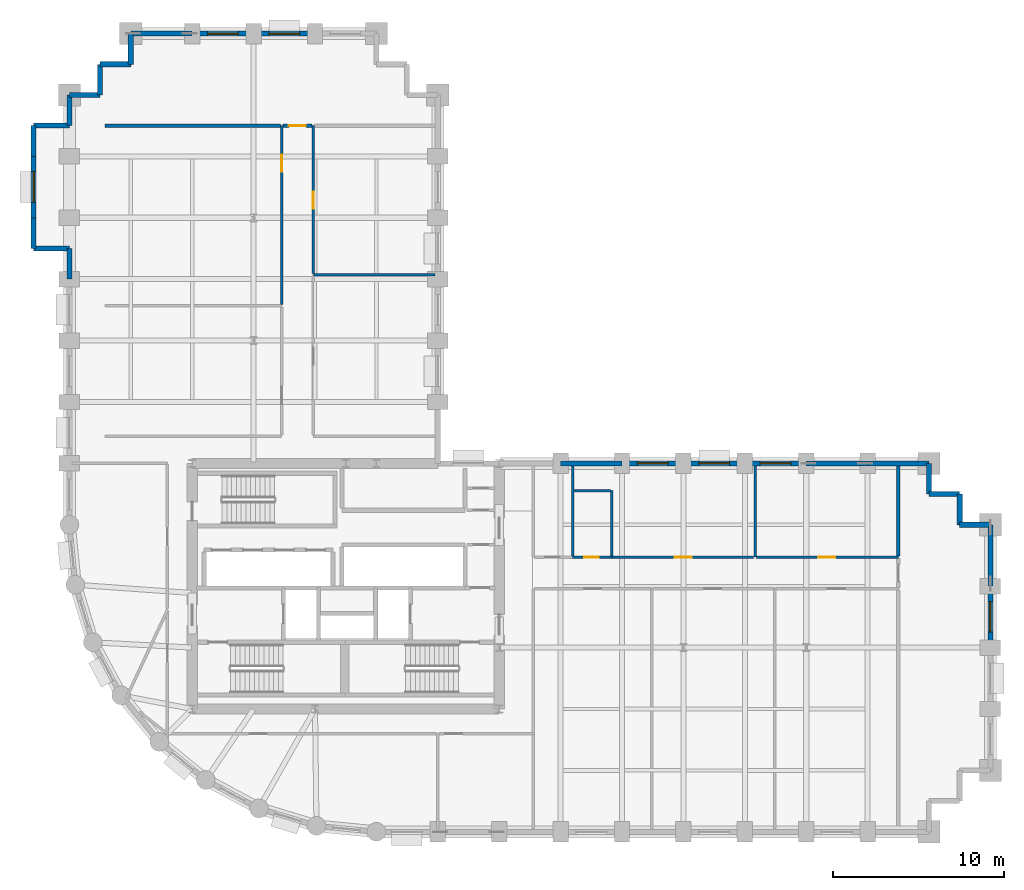
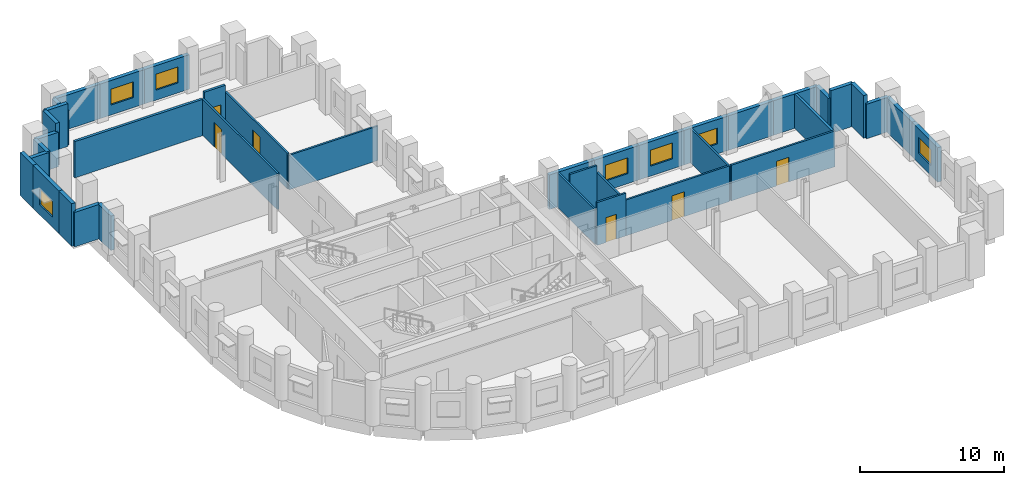
# One storey, part 8 of 11: 39 walls, 7 windows, 6 doors, 13 openings.
"""IFC4 building model written with IfcOpenShell, lengths in metres."""

from ifc_helpers import new_model, si_unit, direction, frame, frame_2d, origin, place, context, subcontext, project, spatial, rectangle, extrude, material, layer, layer_set, type_object, element, fill, save


model = new_model("IFC4")

# Units and contexts
model_context = context("Model", 3, precision=1e-05, world=origin(), true_north=direction((0.0, 1.0)))
body_context = subcontext(model_context, "Body", "Model", "MODEL_VIEW")
ifc_project = project(units=[si_unit("LENGTHUNIT", "METRE"), si_unit("AREAUNIT", "SQUARE_METRE"), si_unit("VOLUMEUNIT", "CUBIC_METRE"), si_unit("PLANEANGLEUNIT", "RADIAN"), si_unit("MASSUNIT", "GRAM", prefix="KILO")], contexts=[model_context])

# Site, building, storey
site_placement = place(None, origin())
site = spatial("IfcSite", under=ifc_project, at=site_placement, CompositionType="ELEMENT")
building_placement = place(site_placement, origin())
building = spatial("IfcBuilding", under=site, at=building_placement, Name="Solnavia Interchange Tower", CompositionType="ELEMENT")
storey_placement = place(building_placement, frame((0.0, 0.0, 55.199951171875)))
storey = spatial("IfcBuildingStorey", under=building, at=storey_placement, Name="L13", CompositionType="ELEMENT", Elevation=55.199951171875)

# Walls
ifc_material_1 = material(Name="Gypsum Acoustic Twin-Stud & Mineral Wool", Category="gypsum")
ifc_layer_1 = layer(ifc_material_1, 0.199951171875)
ifc_layer_set_1 = layer_set([ifc_layer_1], Name="Gypsum Acoustic Twin-Stud & Mineral Wool")
wall_type_1 = type_object("IfcWallType", Name="Wall-ApartmentParty-200", PredefinedType="PARTITIONING", material=ifc_layer_set_1)
wall_1_placement = place(storey_placement, frame((55.800048828125, 19.779052734375, 0.0), z_axis=(0.0, 0.0, 1.0), x_axis=(0.0, 1.0, 0.0)))
element("IfcWall", 1, at=wall_1_placement, inside=storey, type_object=wall_type_1, Name="PTW-L13-25 Interior partition wall", PredefinedType="PARTITIONING", context=body_context, shape_type="SweptSolid", body=[
    extrude(rectangle(XDim=5.266845703125, YDim=0.199951171875, at=frame_2d((2.63330078125, 0.0))), origin(), (0.0, 0.0, 1.0), 2.929931640625),
])
wall_2_placement = place(storey_placement, frame((9.300048828125, 45.0, 0.0), z_axis=(0.0, 0.0, 1.0), x_axis=(1.0, 0.0, 0.0)))
element("IfcWall", 2, at=wall_2_placement, inside=storey, type_object=wall_type_1, Name="PTW-L13-35 Interior partition wall", PredefinedType="PARTITIONING", context=body_context, shape_type="SweptSolid", body=[
    extrude(rectangle(XDim=10.27099609375, YDim=0.199951171875, at=frame_2d((5.135498046875, 0.0))), origin(), (0.0, 0.0, 1.0), 3.080078125),
])

# Wall, opening, door
wall_3_placement = place(storey_placement, frame((19.72900390625, 45.0, 0.0), z_axis=(0.0, 0.0, 1.0), x_axis=(1.0, 0.0, 0.0)))
wall_3 = element("IfcWall", 3, at=wall_3_placement, inside=storey, type_object=wall_type_1, Name="PTW-L13-37 Interior partition wall", PredefinedType="PARTITIONING", context=body_context, shape_type="SweptSolid", body=[
    extrude(rectangle(XDim=1.69189453125, YDim=0.199951171875, at=frame_2d((0.845947265625, 0.0))), origin(), (0.0, 0.0, 1.0), 3.635009765625),
])
opening_1_placement = place(wall_3_placement, frame((0.339111328125, 0.0, 0.0)))
opening_1 = element("IfcOpeningElement", 4, at=opening_1_placement, cuts=wall_3, Name="Opening DR-06", PredefinedType="OPENING", context=body_context, shape_type="SweptSolid", body=[
    extrude(rectangle(XDim=1.0, YDim=2.10009765625, at=frame_2d((0.5, 1.050048828125))), frame((0.0, 0.10986328125, 0.0), z_axis=(0.0, -1.0, 0.0), x_axis=(1.0, 0.0, 0.0)), (0.0, 0.0, 1.0), 0.219970703125),
])
ifc_material_2 = material(Name="Engineered Timber Acoustic Fire Door", Category="wood")
door_type_1 = type_object("IfcDoorType", Name="Door-FlatEntry-1000x2100", OperationType="SINGLE_SWING_LEFT", PredefinedType="DOOR", material=ifc_material_2)
door_1_placement = place(opening_1_placement, origin())
door_1 = element("IfcDoor", 5, at=door_1_placement, inside=storey, type_object=door_type_1, Name="DR-L13-17 Interior room door", OperationType="SINGLE_SWING_LEFT", OverallHeight=2.10009765625, OverallWidth=1.0, PredefinedType="DOOR", context=body_context, shape_type="SweptSolid", body=[
    extrude(rectangle(XDim=1.0, YDim=2.10009765625, at=frame_2d((0.5, 1.050048828125))), frame((0.0, 0.02490234375, 0.0), z_axis=(0.0, -1.0, 0.0), x_axis=(1.0, 0.0, 0.0)), (0.0, 0.0, 1.0), 0.050048828125),
])
fill(opening_1, door_1)

# Wall, opening, window
ifc_material_3 = material(Name="Concrete C40/50", Category="concrete")
ifc_layer_2 = layer(ifc_material_3, 0.300048828125)
ifc_layer_set_2 = layer_set([ifc_layer_2], Name="Concrete C40/50")
wall_type_2 = type_object("IfcWallType", Name="Wall-ExtSpandrel-300", PredefinedType="STANDARD", material=ifc_layer_set_2)
wall_4_placement = place(storey_placement, frame((61.199951171875, 18.0, 0.0), z_axis=(0.0, 0.0, 1.0), x_axis=(0.0, -1.0, 0.0)))
wall_4 = element("IfcWall", 6, at=wall_4_placement, inside=storey, type_object=wall_type_2, Name="EXW-L13-16 Exterior precast spandrel wall", PredefinedType="STANDARD", context=body_context, shape_type="SweptSolid", body=[
    extrude(rectangle(XDim=3.60009765625, YDim=0.300048828125, at=frame_2d((1.800048828125, 0.0))), origin(), (0.0, 0.0, 1.0), 2.929931640625),
])
opening_2_placement = place(wall_4_placement, frame((0.89990234375, 0.0, 0.85009765625)))
opening_2 = element("IfcOpeningElement", 7, at=opening_2_placement, cuts=wall_4, Name="Opening WIN-02", PredefinedType="OPENING", context=body_context, shape_type="SweptSolid", body=[
    extrude(rectangle(XDim=1.800048828125, YDim=1.35009765625, at=frame_2d((0.89990234375, 0.675048828125))), frame((0.0, 0.16015625, 0.0), z_axis=(0.0, -1.0, 0.0), x_axis=(1.0, 0.0, 0.0)), (0.0, 0.0, 1.0), 0.320068359375),
])
ifc_material_4 = material(Name="Thermal-Break Aluminium & Low-E Glass", Category="aluminium")
window_type = type_object("IfcWindowType", Name="Window-Ribbon-1800x1350", PartitioningType="SINGLE_PANEL", PredefinedType="WINDOW", material=ifc_material_4)
window_1_placement = place(opening_2_placement, origin())
window_1 = element("IfcWindow", 8, at=window_1_placement, inside=storey, type_object=window_type, Name="WIN-L13-16 Facade ribbon window", OverallHeight=1.35009765625, OverallWidth=1.800048828125, PartitioningType="SINGLE_PANEL", PredefinedType="WINDOW", context=body_context, shape_type="SweptSolid", body=[
    extrude(rectangle(XDim=1.800048828125, YDim=1.35009765625, at=frame_2d((0.89990234375, 0.675048828125))), frame((0.0, 0.030029296875, 0.0), z_axis=(0.0, -1.0, 0.0), x_axis=(1.0, 0.0, 0.0)), (0.0, 0.0, 1.0), 0.06005859375),
])
fill(opening_2, window_1)

# Walls
wall_5_placement = place(storey_placement, frame((61.199951171875, 21.60009765625, 0.0), z_axis=(0.0, 0.0, 1.0), x_axis=(0.0, -1.0, 0.0)))
element("IfcWall", 9, at=wall_5_placement, inside=storey, type_object=wall_type_2, Name="EXW-L13-17 Exterior precast spandrel wall", PredefinedType="STANDARD", context=body_context, shape_type="SweptSolid", body=[
    extrude(rectangle(XDim=3.60009765625, YDim=0.300048828125, at=frame_2d((1.800048828125, 0.0))), origin(), (0.0, 0.0, 1.0), 2.929931640625),
])
wall_6_placement = place(storey_placement, frame((61.199951171875, 21.60009765625, 0.0), z_axis=(0.0, 0.0, 1.0), x_axis=(-1.0, 0.0, 0.0)))
element("IfcWall", 10, at=wall_6_placement, inside=storey, type_object=wall_type_2, Name="EXW-L13-18 Exterior precast spandrel wall", PredefinedType="STANDARD", context=body_context, shape_type="SweptSolid", body=[
    extrude(rectangle(XDim=1.800048828125, YDim=0.300048828125, at=frame_2d((0.89990234375, 0.0))), origin(), (0.0, 0.0, 1.0), 2.929931640625),
])
for number, where, z_axis, x_axis, name in (
    (11, (59.39990234375, 23.39990234375, 0.0), (0.0, 0.0, 1.0), (0.0, -1.0, 0.0), "EXW-L13-19 Exterior precast spandrel wall"),
    (12, (57.60009765625, 23.39990234375, 0.0), (0.0, 0.0, 1.0), (1.0, 0.0, 0.0), "EXW-L13-20 Exterior precast spandrel wall"),
):
    element("IfcWall", number, at=place(storey_placement, frame(where, z_axis=z_axis, x_axis=x_axis)), inside=storey, type_object=wall_type_2, Name=name, PredefinedType="STANDARD", context=body_context, shape_type="SweptSolid", body=[
        extrude(rectangle(XDim=1.7998046875, YDim=0.300048828125, at=frame_2d((0.89990234375, 0.0))), origin(), (0.0, 0.0, 1.0), 3.635009765625),
    ])
wall_7_placement = place(storey_placement, frame((57.60009765625, 25.199951171875, 0.0), z_axis=(0.0, 0.0, 1.0), x_axis=(0.0, -1.0, 0.0)))
element("IfcWall", 13, at=wall_7_placement, inside=storey, type_object=wall_type_2, Name="EXW-L13-21 Exterior precast spandrel wall", PredefinedType="STANDARD", context=body_context, shape_type="SweptSolid", body=[
    extrude(rectangle(XDim=1.800048828125, YDim=0.300048828125, at=frame_2d((0.89990234375, 0.0))), origin(), (0.0, 0.0, 1.0), 2.929931640625),
])
for number, where, z_axis, x_axis, name in (
    (14, (54.0, 25.199951171875, 0.0), (0.0, 0.0, 1.0), (1.0, 0.0, 0.0), "EXW-L13-22 Exterior precast spandrel wall"),
    (15, (50.39990234375, 25.199951171875, 0.0), (0.0, 0.0, 1.0), (1.0, 0.0, 0.0), "EXW-L13-23 Exterior precast spandrel wall"),
):
    element("IfcWall", number, at=place(storey_placement, frame(where, z_axis=z_axis, x_axis=x_axis)), inside=storey, type_object=wall_type_2, Name=name, PredefinedType="STANDARD", context=body_context, shape_type="SweptSolid", body=[
        extrude(rectangle(XDim=3.60009765625, YDim=0.300048828125, at=frame_2d((1.800048828125, 0.0))), origin(), (0.0, 0.0, 1.0), 2.929931640625),
    ])

# Wall, opening, window
wall_8_placement = place(storey_placement, frame((46.800048828125, 25.199951171875, 0.0), z_axis=(0.0, 0.0, 1.0), x_axis=(1.0, 0.0, 0.0)))
wall_8 = element("IfcWall", 16, at=wall_8_placement, inside=storey, type_object=wall_type_2, Name="EXW-L13-24 Exterior precast spandrel wall", PredefinedType="STANDARD", context=body_context, shape_type="SweptSolid", body=[
    extrude(rectangle(XDim=3.599853515625, YDim=0.300048828125, at=frame_2d((1.7998046875, 0.0))), origin(), (0.0, 0.0, 1.0), 2.929931640625),
])
opening_3_placement = place(wall_8_placement, frame((0.89990234375, 0.0, 0.85009765625)))
opening_3 = element("IfcOpeningElement", 17, at=opening_3_placement, cuts=wall_8, Name="Opening WIN-02", PredefinedType="OPENING", context=body_context, shape_type="SweptSolid", body=[
    extrude(rectangle(XDim=1.800048828125, YDim=1.35009765625, at=frame_2d((0.89990234375, 0.675048828125))), frame((0.0, 0.16015625, 0.0), z_axis=(0.0, -1.0, 0.0), x_axis=(1.0, 0.0, 0.0)), (0.0, 0.0, 1.0), 0.320068359375),
])
window_2_placement = place(opening_3_placement, origin())
window_2 = element("IfcWindow", 18, at=window_2_placement, inside=storey, type_object=window_type, Name="WIN-L13-24 Facade ribbon window", OverallHeight=1.35009765625, OverallWidth=1.800048828125, PartitioningType="SINGLE_PANEL", PredefinedType="WINDOW", context=body_context, shape_type="SweptSolid", body=[
    extrude(rectangle(XDim=1.800048828125, YDim=1.35009765625, at=frame_2d((0.89990234375, 0.675048828125))), frame((0.0, 0.030029296875, 0.0), z_axis=(0.0, -1.0, 0.0), x_axis=(1.0, 0.0, 0.0)), (0.0, 0.0, 1.0), 0.06005859375),
])
fill(opening_3, window_2)

wall_9_placement = place(storey_placement, frame((43.199951171875, 25.199951171875, 0.0), z_axis=(0.0, 0.0, 1.0), x_axis=(1.0, 0.0, 0.0)))
wall_9 = element("IfcWall", 19, at=wall_9_placement, inside=storey, type_object=wall_type_2, Name="EXW-L13-25 Exterior precast spandrel wall", PredefinedType="STANDARD", context=body_context, shape_type="SweptSolid", body=[
    extrude(rectangle(XDim=3.60009765625, YDim=0.300048828125, at=frame_2d((1.800048828125, 0.0))), origin(), (0.0, 0.0, 1.0), 2.929931640625),
])
opening_4_placement = place(wall_9_placement, frame((0.89990234375, 0.0, 0.85009765625)))
opening_4 = element("IfcOpeningElement", 20, at=opening_4_placement, cuts=wall_9, Name="Opening WIN-02", PredefinedType="OPENING", context=body_context, shape_type="SweptSolid", body=[
    extrude(rectangle(XDim=1.800048828125, YDim=1.35009765625, at=frame_2d((0.89990234375, 0.675048828125))), frame((0.0, 0.16015625, 0.0), z_axis=(0.0, -1.0, 0.0), x_axis=(1.0, 0.0, 0.0)), (0.0, 0.0, 1.0), 0.320068359375),
])
window_3_placement = place(opening_4_placement, origin())
window_3 = element("IfcWindow", 21, at=window_3_placement, inside=storey, type_object=window_type, Name="WIN-L13-25 Facade ribbon window", OverallHeight=1.35009765625, OverallWidth=1.800048828125, PartitioningType="SINGLE_PANEL", PredefinedType="WINDOW", context=body_context, shape_type="SweptSolid", body=[
    extrude(rectangle(XDim=1.800048828125, YDim=1.35009765625, at=frame_2d((0.89990234375, 0.675048828125))), frame((0.0, 0.030029296875, 0.0), z_axis=(0.0, -1.0, 0.0), x_axis=(1.0, 0.0, 0.0)), (0.0, 0.0, 1.0), 0.06005859375),
])
fill(opening_4, window_3)

wall_10_placement = place(storey_placement, frame((39.60009765625, 25.199951171875, 0.0), z_axis=(0.0, 0.0, 1.0), x_axis=(1.0, 0.0, 0.0)))
wall_10 = element("IfcWall", 22, at=wall_10_placement, inside=storey, type_object=wall_type_2, Name="EXW-L13-26 Exterior precast spandrel wall", PredefinedType="STANDARD", context=body_context, shape_type="SweptSolid", body=[
    extrude(rectangle(XDim=3.599853515625, YDim=0.300048828125, at=frame_2d((1.7998046875, 0.0))), origin(), (0.0, 0.0, 1.0), 2.929931640625),
])
opening_5_placement = place(wall_10_placement, frame((0.89990234375, 0.0, 0.85009765625)))
opening_5 = element("IfcOpeningElement", 23, at=opening_5_placement, cuts=wall_10, Name="Opening WIN-02", PredefinedType="OPENING", context=body_context, shape_type="SweptSolid", body=[
    extrude(rectangle(XDim=1.800048828125, YDim=1.35009765625, at=frame_2d((0.89990234375, 0.675048828125))), frame((0.0, 0.16015625, 0.0), z_axis=(0.0, -1.0, 0.0), x_axis=(1.0, 0.0, 0.0)), (0.0, 0.0, 1.0), 0.320068359375),
])
window_4_placement = place(opening_5_placement, origin())
window_4 = element("IfcWindow", 24, at=window_4_placement, inside=storey, type_object=window_type, Name="WIN-L13-26 Facade ribbon window", OverallHeight=1.35009765625, OverallWidth=1.800048828125, PartitioningType="SINGLE_PANEL", PredefinedType="WINDOW", context=body_context, shape_type="SweptSolid", body=[
    extrude(rectangle(XDim=1.800048828125, YDim=1.35009765625, at=frame_2d((0.89990234375, 0.675048828125))), frame((0.0, 0.030029296875, 0.0), z_axis=(0.0, -1.0, 0.0), x_axis=(1.0, 0.0, 0.0)), (0.0, 0.0, 1.0), 0.06005859375),
])
fill(opening_5, window_4)

# Wall
wall_11_placement = place(storey_placement, frame((36.0, 25.199951171875, 0.0), z_axis=(0.0, 0.0, 1.0), x_axis=(1.0, 0.0, 0.0)))
element("IfcWall", 25, at=wall_11_placement, inside=storey, type_object=wall_type_2, Name="EXW-L13-27 Exterior precast spandrel wall", PredefinedType="STANDARD", context=body_context, shape_type="SweptSolid", body=[
    extrude(rectangle(XDim=3.60009765625, YDim=0.300048828125, at=frame_2d((1.800048828125, 0.0))), origin(), (0.0, 0.0, 1.0), 2.929931640625),
])

# Wall, opening, window
wall_12_placement = place(storey_placement, frame((18.0, 50.39990234375, 0.0), z_axis=(0.0, 0.0, 1.0), x_axis=(1.0, 0.0, 0.0)))
wall_12 = element("IfcWall", 26, at=wall_12_placement, inside=storey, type_object=wall_type_2, Name="EXW-L13-41 Exterior precast spandrel wall", PredefinedType="STANDARD", context=body_context, shape_type="SweptSolid", body=[
    extrude(rectangle(XDim=3.60009765625, YDim=0.300048828125, at=frame_2d((1.800048828125, 0.0))), origin(), (0.0, 0.0, 1.0), 2.929931640625),
])
opening_6_placement = place(wall_12_placement, frame((0.89990234375, 0.0, 0.85009765625)))
opening_6 = element("IfcOpeningElement", 27, at=opening_6_placement, cuts=wall_12, Name="Opening WIN-02", PredefinedType="OPENING", context=body_context, shape_type="SweptSolid", body=[
    extrude(rectangle(XDim=1.800048828125, YDim=1.35009765625, at=frame_2d((0.89990234375, 0.675048828125))), frame((0.0, 0.16015625, 0.0), z_axis=(0.0, -1.0, 0.0), x_axis=(1.0, 0.0, 0.0)), (0.0, 0.0, 1.0), 0.320068359375),
])
window_5_placement = place(opening_6_placement, origin())
window_5 = element("IfcWindow", 28, at=window_5_placement, inside=storey, type_object=window_type, Name="WIN-L13-41 Facade ribbon window", OverallHeight=1.35009765625, OverallWidth=1.800048828125, PartitioningType="SINGLE_PANEL", PredefinedType="WINDOW", context=body_context, shape_type="SweptSolid", body=[
    extrude(rectangle(XDim=1.800048828125, YDim=1.35009765625, at=frame_2d((0.89990234375, 0.675048828125))), frame((0.0, 0.030029296875, 0.0), z_axis=(0.0, -1.0, 0.0), x_axis=(1.0, 0.0, 0.0)), (0.0, 0.0, 1.0), 0.06005859375),
])
fill(opening_6, window_5)

wall_13_placement = place(storey_placement, frame((14.39990234375, 50.39990234375, 0.0), z_axis=(0.0, 0.0, 1.0), x_axis=(1.0, 0.0, 0.0)))
wall_13 = element("IfcWall", 29, at=wall_13_placement, inside=storey, type_object=wall_type_2, Name="EXW-L13-42 Exterior precast spandrel wall", PredefinedType="STANDARD", context=body_context, shape_type="SweptSolid", body=[
    extrude(rectangle(XDim=3.60009765625, YDim=0.300048828125, at=frame_2d((1.800048828125, 0.0))), origin(), (0.0, 0.0, 1.0), 2.929931640625),
])
opening_7_placement = place(wall_13_placement, frame((0.89990234375, 0.0, 0.85009765625)))
opening_7 = element("IfcOpeningElement", 30, at=opening_7_placement, cuts=wall_13, Name="Opening WIN-02", PredefinedType="OPENING", context=body_context, shape_type="SweptSolid", body=[
    extrude(rectangle(XDim=1.800048828125, YDim=1.35009765625, at=frame_2d((0.89990234375, 0.675048828125))), frame((0.0, 0.16015625, 0.0), z_axis=(0.0, -1.0, 0.0), x_axis=(1.0, 0.0, 0.0)), (0.0, 0.0, 1.0), 0.320068359375),
])
window_6_placement = place(opening_7_placement, origin())
window_6 = element("IfcWindow", 31, at=window_6_placement, inside=storey, type_object=window_type, Name="WIN-L13-42 Facade ribbon window", OverallHeight=1.35009765625, OverallWidth=1.800048828125, PartitioningType="SINGLE_PANEL", PredefinedType="WINDOW", context=body_context, shape_type="SweptSolid", body=[
    extrude(rectangle(XDim=1.800048828125, YDim=1.35009765625, at=frame_2d((0.89990234375, 0.675048828125))), frame((0.0, 0.030029296875, 0.0), z_axis=(0.0, -1.0, 0.0), x_axis=(1.0, 0.0, 0.0)), (0.0, 0.0, 1.0), 0.06005859375),
])
fill(opening_7, window_6)

# Walls
wall_14_placement = place(storey_placement, frame((10.800048828125, 50.39990234375, 0.0), z_axis=(0.0, 0.0, 1.0), x_axis=(1.0, 0.0, 0.0)))
element("IfcWall", 32, at=wall_14_placement, inside=storey, type_object=wall_type_2, Name="EXW-L13-43 Exterior precast spandrel wall", PredefinedType="STANDARD", context=body_context, shape_type="SweptSolid", body=[
    extrude(rectangle(XDim=3.599853515625, YDim=0.300048828125, at=frame_2d((1.7998046875, 0.0))), origin(), (0.0, 0.0, 1.0), 2.929931640625),
])
wall_15_placement = place(storey_placement, frame((10.800048828125, 48.60009765625, 0.0), z_axis=(0.0, 0.0, 1.0), x_axis=(0.0, 1.0, 0.0)))
element("IfcWall", 33, at=wall_15_placement, inside=storey, type_object=wall_type_2, Name="EXW-L13-44 Exterior precast spandrel wall", PredefinedType="STANDARD", context=body_context, shape_type="SweptSolid", body=[
    extrude(rectangle(XDim=1.7998046875, YDim=0.300048828125, at=frame_2d((0.89990234375, 0.0))), origin(), (0.0, 0.0, 1.0), 2.929931640625),
])
for number, where, z_axis, x_axis, name in (
    (34, (9.0, 48.60009765625, 0.0), (0.0, 0.0, 1.0), (1.0, 0.0, 0.0), "EXW-L13-45 Exterior precast spandrel wall"),
    (35, (9.0, 46.800048828125, 0.0), (0.0, 0.0, 1.0), (0.0, 1.0, 0.0), "EXW-L13-46 Exterior precast spandrel wall"),
):
    element("IfcWall", number, at=place(storey_placement, frame(where, z_axis=z_axis, x_axis=x_axis)), inside=storey, type_object=wall_type_2, Name=name, PredefinedType="STANDARD", context=body_context, shape_type="SweptSolid", body=[
        extrude(rectangle(XDim=1.800048828125, YDim=0.300048828125, at=frame_2d((0.89990234375, 0.0))), origin(), (0.0, 0.0, 1.0), 3.635009765625),
    ])
for number, where, z_axis, x_axis, name in (
    (36, (7.199951171875, 46.800048828125, 0.0), (0.0, 0.0, 1.0), (1.0, 0.0, 0.0), "EXW-L13-47 Exterior precast spandrel wall"),
    (37, (7.199951171875, 45.0, 0.0), (0.0, 0.0, 1.0), (0.0, 1.0, 0.0), "EXW-L13-48 Exterior precast spandrel wall"),
):
    element("IfcWall", number, at=place(storey_placement, frame(where, z_axis=z_axis, x_axis=x_axis)), inside=storey, type_object=wall_type_2, Name=name, PredefinedType="STANDARD", context=body_context, shape_type="SweptSolid", body=[
        extrude(rectangle(XDim=1.800048828125, YDim=0.300048828125, at=frame_2d((0.89990234375, 0.0))), origin(), (0.0, 0.0, 1.0), 2.929931640625),
    ])
wall_16_placement = place(storey_placement, frame((5.10009765625, 45.0, 0.0), z_axis=(0.0, 0.0, 1.0), x_axis=(1.0, 0.0, 0.0)))
element("IfcWall", 38, at=wall_16_placement, inside=storey, type_object=wall_type_2, Name="EXW-L13-49 Exterior precast spandrel wall", PredefinedType="STANDARD", context=body_context, shape_type="SweptSolid", body=[
    extrude(rectangle(XDim=2.099853515625, YDim=0.300048828125, at=frame_2d((1.0498046875, 0.0))), origin(), (0.0, 0.0, 1.0), 2.929931640625),
])
wall_17_placement = place(storey_placement, frame((5.10009765625, 43.199951171875, 0.0), z_axis=(0.0, 0.0, 1.0), x_axis=(0.0, 1.0, 0.0)))
element("IfcWall", 39, at=wall_17_placement, inside=storey, type_object=wall_type_2, Name="EXW-L13-50 Exterior precast spandrel wall", PredefinedType="STANDARD", context=body_context, shape_type="SweptSolid", body=[
    extrude(rectangle(XDim=1.800048828125, YDim=0.300048828125, at=frame_2d((0.89990234375, 0.0))), origin(), (0.0, 0.0, 1.0), 3.635009765625),
])

# Wall, opening, window
wall_18_placement = place(storey_placement, frame((5.10009765625, 39.60009765625, 0.0), z_axis=(0.0, 0.0, 1.0), x_axis=(0.0, 1.0, 0.0)))
wall_18 = element("IfcWall", 40, at=wall_18_placement, inside=storey, type_object=wall_type_2, Name="EXW-L13-51 Exterior precast spandrel wall", PredefinedType="STANDARD", context=body_context, shape_type="SweptSolid", body=[
    extrude(rectangle(XDim=3.599853515625, YDim=0.300048828125, at=frame_2d((1.7998046875, 0.0))), origin(), (0.0, 0.0, 1.0), 3.635009765625),
])
opening_8_placement = place(wall_18_placement, frame((0.89990234375, 0.0, 0.85009765625)))
opening_8 = element("IfcOpeningElement", 41, at=opening_8_placement, cuts=wall_18, Name="Opening WIN-02", PredefinedType="OPENING", context=body_context, shape_type="SweptSolid", body=[
    extrude(rectangle(XDim=1.800048828125, YDim=1.35009765625, at=frame_2d((0.89990234375, 0.675048828125))), frame((0.0, 0.16015625, 0.0), z_axis=(0.0, -1.0, 0.0), x_axis=(1.0, 0.0, 0.0)), (0.0, 0.0, 1.0), 0.320068359375),
])
window_7_placement = place(opening_8_placement, origin())
window_7 = element("IfcWindow", 42, at=window_7_placement, inside=storey, type_object=window_type, Name="WIN-L13-51 Facade ribbon window", OverallHeight=1.35009765625, OverallWidth=1.800048828125, PartitioningType="SINGLE_PANEL", PredefinedType="WINDOW", context=body_context, shape_type="SweptSolid", body=[
    extrude(rectangle(XDim=1.800048828125, YDim=1.35009765625, at=frame_2d((0.89990234375, 0.675048828125))), frame((0.0, 0.030029296875, 0.0), z_axis=(0.0, -1.0, 0.0), x_axis=(1.0, 0.0, 0.0)), (0.0, 0.0, 1.0), 0.06005859375),
])
fill(opening_8, window_7)

# Walls
wall_19_placement = place(storey_placement, frame((5.10009765625, 37.800048828125, 0.0), z_axis=(0.0, 0.0, 1.0), x_axis=(0.0, 1.0, 0.0)))
element("IfcWall", 43, at=wall_19_placement, inside=storey, type_object=wall_type_2, Name="EXW-L13-52 Exterior precast spandrel wall", PredefinedType="STANDARD", context=body_context, shape_type="SweptSolid", body=[
    extrude(rectangle(XDim=1.800048828125, YDim=0.300048828125, at=frame_2d((0.89990234375, 0.0))), origin(), (0.0, 0.0, 1.0), 3.635009765625),
])
wall_20_placement = place(storey_placement, frame((5.10009765625, 37.800048828125, 0.0), z_axis=(0.0, 0.0, 1.0), x_axis=(1.0, 0.0, 0.0)))
element("IfcWall", 44, at=wall_20_placement, inside=storey, type_object=wall_type_2, Name="EXW-L13-53 Exterior precast spandrel wall", PredefinedType="STANDARD", context=body_context, shape_type="SweptSolid", body=[
    extrude(rectangle(XDim=2.099853515625, YDim=0.300048828125, at=frame_2d((1.0498046875, 0.0))), origin(), (0.0, 0.0, 1.0), 2.929931640625),
])
wall_21_placement = place(storey_placement, frame((7.199951171875, 36.0, 0.0), z_axis=(0.0, 0.0, 1.0), x_axis=(0.0, 1.0, 0.0)))
element("IfcWall", 45, at=wall_21_placement, inside=storey, type_object=wall_type_2, Name="EXW-L13-54 Exterior precast spandrel wall", PredefinedType="STANDARD", context=body_context, shape_type="SweptSolid", body=[
    extrude(rectangle(XDim=1.800048828125, YDim=0.300048828125, at=frame_2d((0.89990234375, 0.0))), origin(), (0.0, 0.0, 1.0), 2.929931640625),
])
ifc_material_5 = material(Name="Gypsum Plasterboard & Steel Stud", Category="steel")
ifc_layer_3 = layer(ifc_material_5, 0.14990234375)
ifc_layer_set_3 = layer_set([ifc_layer_3], Name="Gypsum Plasterboard & Steel Stud")
wall_type_3 = type_object("IfcWallType", Name="Wall-Partition-150", PredefinedType="PARTITIONING", material=ifc_layer_set_3)
wall_22_placement = place(storey_placement, frame((47.39990234375, 19.699951171875, 0.0), z_axis=(0.0, 0.0, 1.0), x_axis=(0.0, 1.0, 0.0)))
element("IfcWall", 46, at=wall_22_placement, inside=storey, type_object=wall_type_3, Name="PTW-L13-21 Interior partition wall", PredefinedType="PARTITIONING", context=body_context, shape_type="SweptSolid", body=[
    extrude(rectangle(XDim=5.345947265625, YDim=0.14990234375, at=frame_2d((2.6728515625, 0.0))), origin(), (0.0, 0.0, 1.0), 2.929931640625),
])

# Wall, opening, door
wall_23_placement = place(storey_placement, frame((39.0, 19.699951171875, 0.0), z_axis=(0.0, 0.0, 1.0), x_axis=(1.0, 0.0, 0.0)))
wall_23 = element("IfcWall", 47, at=wall_23_placement, inside=storey, type_object=wall_type_3, Name="PTW-L13-22 Interior partition wall", PredefinedType="PARTITIONING", context=body_context, shape_type="SweptSolid", body=[
    extrude(rectangle(XDim=8.321044921875, YDim=0.14990234375, at=frame_2d((4.16064453125, 0.0))), origin(), (0.0, 0.0, 1.0), 3.0400390625),
])
opening_9_placement = place(wall_23_placement, frame((3.699951171875, 0.0, 0.0)))
opening_9 = element("IfcOpeningElement", 48, at=opening_9_placement, cuts=wall_23, Name="Opening DR-07", PredefinedType="OPENING", context=body_context, shape_type="SweptSolid", body=[
    extrude(rectangle(XDim=1.0, YDim=2.10009765625, at=frame_2d((0.5, 1.050048828125))), frame((0.0, 0.0849609375, 0.0), z_axis=(0.0, -1.0, 0.0), x_axis=(1.0, 0.0, 0.0)), (0.0, 0.0, 1.0), 0.169921875),
])
ifc_material_6 = material(Name="Timber & Acoustic Glazed Office Door", Category="wood")
door_type_2 = type_object("IfcDoorType", Name="Door-Office-1000x2100", OperationType="SINGLE_SWING_RIGHT", PredefinedType="DOOR", material=ifc_material_6)
door_2_placement = place(opening_9_placement, origin())
door_2 = element("IfcDoor", 49, at=door_2_placement, inside=storey, type_object=door_type_2, Name="DR-L13-10 Interior room door", OperationType="SINGLE_SWING_RIGHT", OverallHeight=2.10009765625, OverallWidth=1.0, PredefinedType="DOOR", context=body_context, shape_type="SweptSolid", body=[
    extrude(rectangle(XDim=1.0, YDim=2.10009765625, at=frame_2d((0.5, 1.050048828125))), frame((0.0, 0.02490234375, 0.0), z_axis=(0.0, -1.0, 0.0), x_axis=(1.0, 0.0, 0.0)), (0.0, 0.0, 1.0), 0.050048828125),
])
fill(opening_9, door_2)

wall_24_placement = place(storey_placement, frame((47.47900390625, 19.699951171875, 0.0), z_axis=(0.0, 0.0, 1.0), x_axis=(1.0, 0.0, 0.0)))
wall_24 = element("IfcWall", 50, at=wall_24_placement, inside=storey, type_object=wall_type_3, Name="PTW-L13-23 Interior partition wall", PredefinedType="PARTITIONING", context=body_context, shape_type="SweptSolid", body=[
    extrude(rectangle(XDim=8.321044921875, YDim=0.14990234375, at=frame_2d((4.16064453125, 0.0))), origin(), (0.0, 0.0, 1.0), 3.0400390625),
])
opening_10_placement = place(wall_24_placement, frame((3.62109375, 0.0, 0.0)))
opening_10 = element("IfcOpeningElement", 51, at=opening_10_placement, cuts=wall_24, Name="Opening DR-07", PredefinedType="OPENING", context=body_context, shape_type="SweptSolid", body=[
    extrude(rectangle(XDim=1.0, YDim=2.10009765625, at=frame_2d((0.5, 1.050048828125))), frame((0.0, 0.0849609375, 0.0), z_axis=(0.0, -1.0, 0.0), x_axis=(1.0, 0.0, 0.0)), (0.0, 0.0, 1.0), 0.169921875),
])
door_3_placement = place(opening_10_placement, origin())
door_3 = element("IfcDoor", 52, at=door_3_placement, inside=storey, type_object=door_type_2, Name="DR-L13-11 Interior room door", OperationType="SINGLE_SWING_RIGHT", OverallHeight=2.10009765625, OverallWidth=1.0, PredefinedType="DOOR", context=body_context, shape_type="SweptSolid", body=[
    extrude(rectangle(XDim=1.0, YDim=2.10009765625, at=frame_2d((0.5, 1.050048828125))), frame((0.0, 0.02490234375, 0.0), z_axis=(0.0, -1.0, 0.0), x_axis=(1.0, 0.0, 0.0)), (0.0, 0.0, 1.0), 0.050048828125),
])
fill(opening_10, door_3)

wall_25_placement = place(storey_placement, frame((19.64990234375, 34.51904296875, 0.0), z_axis=(0.0, 0.0, 1.0), x_axis=(0.0, 1.0, 0.0)))
wall_25 = element("IfcWall", 53, at=wall_25_placement, inside=storey, type_object=wall_type_3, Name="PTW-L13-30 Interior partition wall", PredefinedType="PARTITIONING", context=body_context, shape_type="SweptSolid", body=[
    extrude(rectangle(XDim=10.48095703125, YDim=0.14990234375, at=frame_2d((5.240478515625, 0.0))), origin(), (0.0, 0.0, 1.0), 3.080078125),
])
opening_11_placement = place(wall_25_placement, frame((7.76708984375, 0.0, 0.0)))
opening_11 = element("IfcOpeningElement", 54, at=opening_11_placement, cuts=wall_25, Name="Opening DR-07", PredefinedType="OPENING", context=body_context, shape_type="SweptSolid", body=[
    extrude(rectangle(XDim=1.0, YDim=2.10009765625, at=frame_2d((0.5, 1.050048828125))), frame((0.0, 0.0849609375, 0.0), z_axis=(0.0, -1.0, 0.0), x_axis=(1.0, 0.0, 0.0)), (0.0, 0.0, 1.0), 0.169921875),
])
door_4_placement = place(opening_11_placement, origin())
door_4 = element("IfcDoor", 55, at=door_4_placement, inside=storey, type_object=door_type_2, Name="DR-L13-14 Interior room door", OperationType="SINGLE_SWING_RIGHT", OverallHeight=2.10009765625, OverallWidth=1.0, PredefinedType="DOOR", context=body_context, shape_type="SweptSolid", body=[
    extrude(rectangle(XDim=1.0, YDim=2.10009765625, at=frame_2d((0.5, 1.050048828125))), frame((0.0, 0.02490234375, 0.0), z_axis=(0.0, -1.0, 0.0), x_axis=(1.0, 0.0, 0.0)), (0.0, 0.0, 1.0), 0.050048828125),
])
fill(opening_11, door_4)

# Wall
wall_26_placement = place(storey_placement, frame((21.5, 36.260009765625, 0.0), z_axis=(0.0, 0.0, 1.0), x_axis=(1.0, 0.0, 0.0)))
element("IfcWall", 56, at=wall_26_placement, inside=storey, type_object=wall_type_3, Name="PTW-L13-32 Interior partition wall", PredefinedType="PARTITIONING", context=body_context, shape_type="SweptSolid", body=[
    extrude(rectangle(XDim=7.14599609375, YDim=0.14990234375, at=frame_2d((3.572998046875, 0.0))), origin(), (0.0, 0.0, 1.0), 2.929931640625),
])

# Wall, opening, door
wall_27_placement = place(storey_placement, frame((21.5, 36.339111328125, 0.0), z_axis=(0.0, 0.0, 1.0), x_axis=(0.0, 1.0, 0.0)))
wall_27 = element("IfcWall", 57, at=wall_27_placement, inside=storey, type_object=wall_type_3, Name="PTW-L13-34 Interior partition wall", PredefinedType="PARTITIONING", context=body_context, shape_type="SweptSolid", body=[
    extrude(rectangle(XDim=8.660888671875, YDim=0.14990234375, at=frame_2d((4.33056640625, 0.0))), origin(), (0.0, 0.0, 1.0), 3.030029296875),
])
opening_12_placement = place(wall_27_placement, frame((3.791015625, 0.0, 0.0)))
opening_12 = element("IfcOpeningElement", 58, at=opening_12_placement, cuts=wall_27, Name="Opening DR-07", PredefinedType="OPENING", context=body_context, shape_type="SweptSolid", body=[
    extrude(rectangle(XDim=1.0, YDim=2.10009765625, at=frame_2d((0.5, 1.050048828125))), frame((0.0, 0.0849609375, 0.0), z_axis=(0.0, -1.0, 0.0), x_axis=(1.0, 0.0, 0.0)), (0.0, 0.0, 1.0), 0.169921875),
])
door_5_placement = place(opening_12_placement, origin())
door_5 = element("IfcDoor", 59, at=door_5_placement, inside=storey, type_object=door_type_2, Name="DR-L13-16 Interior room door", OperationType="SINGLE_SWING_LEFT", OverallHeight=2.10009765625, OverallWidth=1.0, PredefinedType="DOOR", context=body_context, shape_type="SweptSolid", body=[
    extrude(rectangle(XDim=1.0, YDim=2.10009765625, at=frame_2d((0.5, 1.050048828125))), frame((0.0, 0.02490234375, 0.0), z_axis=(0.0, -1.0, 0.0), x_axis=(1.0, 0.0, 0.0)), (0.0, 0.0, 1.0), 0.050048828125),
])
fill(opening_12, door_5)

# Wall
ifc_material_7 = material(Name="Moisture-Resistant Gypsum & Steel Stud", Category="steel")
ifc_layer_4 = layer(ifc_material_7, 0.14990234375)
ifc_layer_set_4 = layer_set([ifc_layer_4], Name="Moisture-Resistant Gypsum & Steel Stud")
wall_type_4 = type_object("IfcWallType", Name="Wall-WetRoom-150", PredefinedType="PARTITIONING", material=ifc_layer_set_4)
wall_28_placement = place(storey_placement, frame((36.699951171875, 19.779052734375, 0.0), z_axis=(0.0, 0.0, 1.0), x_axis=(0.0, 1.0, 0.0)))
element("IfcWall", 60, at=wall_28_placement, inside=storey, type_object=wall_type_4, Name="PTW-L13-03 Interior partition wall", PredefinedType="PARTITIONING", context=body_context, shape_type="SweptSolid", body=[
    extrude(rectangle(XDim=5.266845703125, YDim=0.14990234375, at=frame_2d((2.63330078125, 0.0))), origin(), (0.0, 0.0, 1.0), 2.929931640625),
])

# Wall, opening, door
wall_29_placement = place(storey_placement, frame((36.699951171875, 19.699951171875, 0.0), z_axis=(0.0, 0.0, 1.0), x_axis=(1.0, 0.0, 0.0)))
wall_29 = element("IfcWall", 61, at=wall_29_placement, inside=storey, type_object=wall_type_4, Name="PTW-L13-04 Interior partition wall", PredefinedType="PARTITIONING", context=body_context, shape_type="SweptSolid", body=[
    extrude(rectangle(XDim=2.300048828125, YDim=0.14990234375, at=frame_2d((1.14990234375, 0.0))), origin(), (0.0, 0.0, 1.0), 3.635009765625),
])
opening_13_placement = place(wall_29_placement, frame((0.697021484375, 0.0, 0.0)))
opening_13 = element("IfcOpeningElement", 62, at=opening_13_placement, cuts=wall_29, Name="Opening DR-10", PredefinedType="OPENING", context=body_context, shape_type="SweptSolid", body=[
    extrude(rectangle(XDim=0.85009765625, YDim=2.10009765625, at=frame_2d((0.425048828125, 1.050048828125))), frame((0.0, 0.0849609375, 0.0), z_axis=(0.0, -1.0, 0.0), x_axis=(1.0, 0.0, 0.0)), (0.0, 0.0, 1.0), 0.169921875),
])
ifc_material_8 = material(Name="Moisture-Resistant Timber Door", Category="wood")
door_type_3 = type_object("IfcDoorType", Name="Door-Bathroom-850x2100", OperationType="SINGLE_SWING_RIGHT", PredefinedType="DOOR", material=ifc_material_8)
door_6_placement = place(opening_13_placement, origin())
door_6 = element("IfcDoor", 63, at=door_6_placement, inside=storey, type_object=door_type_3, Name="DR-L13-02 Interior room door", OperationType="SINGLE_SWING_RIGHT", OverallHeight=2.10009765625, OverallWidth=0.85009765625, PredefinedType="DOOR", context=body_context, shape_type="SweptSolid", body=[
    extrude(rectangle(XDim=0.85009765625, YDim=2.10009765625, at=frame_2d((0.425048828125, 1.050048828125))), frame((0.0, 0.02490234375, 0.0), z_axis=(0.0, -1.0, 0.0), x_axis=(1.0, 0.0, 0.0)), (0.0, 0.0, 1.0), 0.050048828125),
])
fill(opening_13, door_6)

# Walls
wall_30_placement = place(storey_placement, frame((39.0, 19.779052734375, 0.0), z_axis=(0.0, 0.0, 1.0), x_axis=(0.0, 1.0, 0.0)))
element("IfcWall", 64, at=wall_30_placement, inside=storey, type_object=wall_type_4, Name="PTW-L13-05 Interior partition wall", PredefinedType="PARTITIONING", context=body_context, shape_type="SweptSolid", body=[
    extrude(rectangle(XDim=3.821044921875, YDim=0.14990234375, at=frame_2d((1.91064453125, 0.0))), origin(), (0.0, 0.0, 1.0), 3.030029296875),
])
wall_31_placement = place(storey_placement, frame((36.779052734375, 23.60009765625, 0.0), z_axis=(0.0, 0.0, 1.0), x_axis=(1.0, 0.0, 0.0)))
element("IfcWall", 65, at=wall_31_placement, inside=storey, type_object=wall_type_4, Name="PTW-L13-06 Interior partition wall", PredefinedType="PARTITIONING", context=body_context, shape_type="SweptSolid", body=[
    extrude(rectangle(XDim=2.141845703125, YDim=0.14990234375, at=frame_2d((1.07080078125, 0.0))), origin(), (0.0, 0.0, 1.0), 3.635009765625),
])

save(model, "model.ifc")
